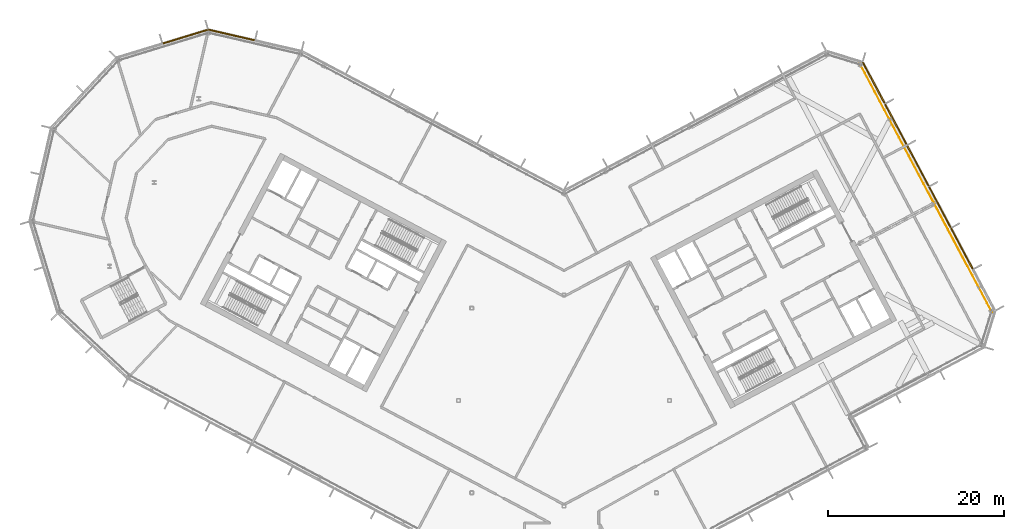
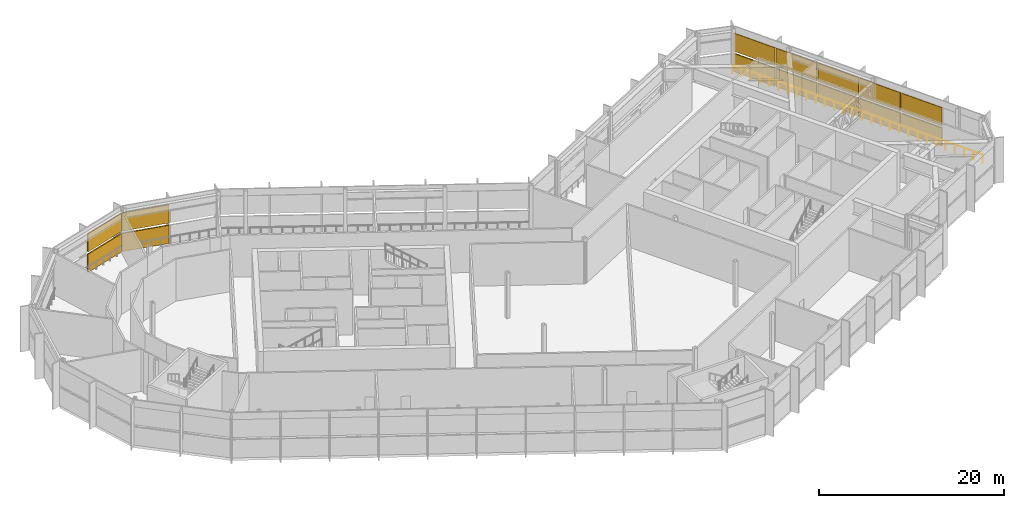
# One storey, part 33 of 33: 14 shading devices, 1 railing, 3 elements without a shape of their own.
"""IFC4 building model written with IfcOpenShell, lengths in metres."""

import ifcopenshell
import ifcopenshell.guid

model = None  # the IFC model being written
_history = None  # IfcOwnerHistory: only IFC2X3 demands one
_inside = {}  # id of a spatial element -> (the spatial element, [elements in it])
_under = {}  # id of a project, library or spatial element -> (it, [spatial elements below it])
_declared = {}  # id of a project -> (the project, [libraries it declares])
_typed = {}  # id of a type object -> (the type object, [elements of that type])
_made_of = {}  # id of a material, layer set ... -> (it, [elements and type objects made of it])


def new_model(schema):
    """Start an empty IFC model of exactly this schema.

    Asked for "IFC4X3", IfcOpenShell would pick the latest addendum, in which some entities
    have other attributes; the version numbers below select the first issue.
    IFC2X3 requires an IfcOwnerHistory on every rooted entity: one is made here for all.
    """
    global model, _history
    if schema == "IFC4X3":
        model = ifcopenshell.file(schema_version=(4, 3, 0, 0))
    else:
        model = ifcopenshell.file(schema=schema)
    _inside.clear()
    _under.clear()
    _declared.clear()
    _typed.clear()
    _made_of.clear()
    _history = None
    if model.schema == "IFC2X3":
        org = make("IfcOrganization", Name="unknown")
        user = make(
            "IfcPersonAndOrganization",
            ThePerson=make("IfcPerson", FamilyName="unknown"),
            TheOrganization=org,
        )
        app = make(
            "IfcApplication",
            ApplicationDeveloper=org,
            Version="unknown",
            ApplicationFullName="unknown",
            ApplicationIdentifier="unknown",
        )
        _history = make(
            "IfcOwnerHistory",
            OwningUser=user,
            OwningApplication=app,
            ChangeAction="ADDED",
            CreationDate=0,
        )
    return model


def make(cls, **values):
    """One entity of the class cls with the attributes given. An attribute that is None is left unset."""
    return model.create_entity(
        cls, **{name: value for name, value in values.items() if value is not None}
    )


def rooted(cls, **values):
    """An entity with a GlobalId (a new one), such as an element, a storey or a relation."""
    return make(cls, GlobalId=ifcopenshell.guid.new(), OwnerHistory=_history, **values)


def si_unit(unit_type, name, prefix=None):
    """IfcSIUnit, for example si_unit("LENGTHUNIT", "METRE", prefix="MILLI")."""
    return make("IfcSIUnit", UnitType=unit_type, Prefix=prefix, Name=name)


def assignment(units):
    """IfcUnitAssignment: the units of a project."""
    return None if units is None else make("IfcUnitAssignment", Units=units)


def point(xyz):
    """IfcCartesianPoint."""
    return None if xyz is None else make("IfcCartesianPoint", Coordinates=xyz)


def direction(xyz):
    """IfcDirection."""
    return None if xyz is None else make("IfcDirection", DirectionRatios=xyz)


def frame(location, z_axis=None, x_axis=None):
    """IfcAxis2Placement3D, a coordinate frame: its origin and axes. An axis left out is left unset."""
    return make(
        "IfcAxis2Placement3D",
        Location=point(location),
        Axis=direction(z_axis),
        RefDirection=direction(x_axis),
    )


def frame_2d(location, x_axis=None):
    """IfcAxis2Placement2D, a coordinate frame in the plane: its origin and x axis."""
    return make(
        "IfcAxis2Placement2D", Location=point(location), RefDirection=direction(x_axis)
    )


def origin():
    """The frame at (0, 0, 0) with its axes left unset."""
    return frame((0.0, 0.0, 0.0))


def origin_2d():
    """The frame at (0, 0) in the plane with its x axis left unset."""
    return frame_2d((0.0, 0.0))


def place(relative_to, where):
    """IfcLocalPlacement: puts the frame where relative to a parent placement (None: the world)."""
    return make(
        "IfcLocalPlacement", PlacementRelTo=relative_to, RelativePlacement=where
    )


def context(
    kind, dimensions, precision=None, world=None, true_north=None, identifier=None
):
    """IfcGeometricRepresentationContext, for example the 3D "Model" context."""
    return make(
        "IfcGeometricRepresentationContext",
        ContextIdentifier=identifier,
        ContextType=kind,
        CoordinateSpaceDimension=dimensions,
        Precision=precision,
        WorldCoordinateSystem=world,
        TrueNorth=true_north,
    )


def subcontext(parent, identifier, kind, view, scale=None):
    """IfcGeometricRepresentationSubContext, for example "Body" below "Model"."""
    return make(
        "IfcGeometricRepresentationSubContext",
        ContextIdentifier=identifier,
        ContextType=kind,
        ParentContext=parent,
        TargetScale=scale,
        TargetView=view,
    )


def project(units=None, contexts=None):
    """IfcProject with its units and contexts."""
    return rooted(
        "IfcProject",
        Name="project",
        RepresentationContexts=contexts,
        UnitsInContext=assignment(units),
    )


def spatial(cls, under=None, at=None, **own):
    """A site, building, storey or space (cls), placed at a placement, below another one or the project."""
    s = rooted(cls, ObjectPlacement=at, **own)
    if under is not None:
        _under.setdefault(under.id(), (under, []))[1].append(s)
    return s


def polyline(points):
    """IfcPolyline through the points."""
    return make("IfcPolyline", Points=[point(p) for p in points])


def profile(cls, at=None, kind="AREA", **sizes):
    """A parametric profile (cls). Its sizes go by their IFC names, for example OverallWidth=200.0."""
    return make(cls, ProfileType=kind, Position=at, **sizes)


def rectangle(**sizes):
    """IfcRectangleProfileDef."""
    return profile("IfcRectangleProfileDef", **sizes)


def outline(outer, holes=None, kind="AREA"):
    """IfcArbitraryClosedProfileDef: a profile drawn as a closed curve; with holes, ...WithVoids."""
    if holes is None:
        return make("IfcArbitraryClosedProfileDef", ProfileType=kind, OuterCurve=outer)
    return make(
        "IfcArbitraryProfileDefWithVoids",
        ProfileType=kind,
        OuterCurve=outer,
        InnerCurves=holes,
    )


def extrude(swept, where, along, depth):
    """IfcExtrudedAreaSolid: the profile swept, set in the frame where, extruded along a direction by depth."""
    return make(
        "IfcExtrudedAreaSolid",
        SweptArea=swept,
        Position=where,
        ExtrudedDirection=direction(along),
        Depth=depth,
    )


def shape(context_of_items, identifier, shape_type, items):
    """IfcShapeRepresentation: the items that make up one representation, for example the "Body"."""
    return make(
        "IfcShapeRepresentation",
        ContextOfItems=context_of_items,
        RepresentationIdentifier=identifier,
        RepresentationType=shape_type,
        Items=items,
    )


def material(Name=None, Category=None):
    """IfcMaterial."""
    return make("IfcMaterial", Name=Name, Category=Category)


def layer(
    of_material, thickness, ventilated=None, Name=None, Category=None, Priority=None
):
    """IfcMaterialLayer: one layer of a wall or slab, of a material (None: an air gap)."""
    return make(
        "IfcMaterialLayer",
        Material=of_material,
        LayerThickness=thickness,
        IsVentilated=ventilated,
        Name=Name,
        Category=Category,
        Priority=Priority,
    )


def layer_set(layers, Name=None):
    """IfcMaterialLayerSet."""
    return make("IfcMaterialLayerSet", MaterialLayers=layers, LayerSetName=Name)


def made_of(thing, what):
    """Note that an element or type object is made of a material, layer set ...; save() writes the relation."""
    if what is not None:
        _made_of.setdefault(what.id(), (what, []))[1].append(thing)
    return thing


def type_object(cls, material=None, **own):
    """A type object (cls), such as IfcWallType, which elements share."""
    return made_of(rooted(cls, **own), material)


def element(
    cls,
    number,
    at=None,
    inside=None,
    cuts=None,
    type_object=None,
    material=None,
    context=None,
    identifier="Body",
    shape_type=None,
    held_by="IfcProductDefinitionShape",
    body=None,
    shapes=None,
    **own,
):
    """One element of the class cls, such as IfcWall. Its Tag is "e" and its number.

    at: its placement. inside: the storey or other place that contains it. cuts: it is an
    opening in that element (IfcRelVoidsElement). A single representation is given by context,
    identifier, shape_type and body (its items); several are given by shapes. held_by: the class
    of the entity that holds the representations. save() writes the other relations.
    """
    e = rooted(cls, Tag="e%d" % number, ObjectPlacement=at, **own)
    if body is not None:
        shapes = [shape(context, identifier, shape_type, body)]
    if shapes is not None:
        e.Representation = make(held_by, Representations=shapes)
    if inside is not None:
        _inside.setdefault(inside.id(), (inside, []))[1].append(e)
    if cuts is not None:
        rooted(
            "IfcRelVoidsElement", RelatingBuildingElement=cuts, RelatedOpeningElement=e
        )
    if type_object is not None:
        _typed.setdefault(type_object.id(), (type_object, []))[1].append(e)
    return made_of(e, material)


def aggregate(whole, parts):
    """IfcRelAggregates: a whole, such as a stair, and the parts it consists of."""
    return rooted("IfcRelAggregates", RelatingObject=whole, RelatedObjects=parts)


def save(model, path):
    """Write the relations noted so far, then the file.

    IfcRelAggregates (storeys below a building ...), IfcRelContainedInSpatialStructure (elements
    in a storey), IfcRelDefinesByType, IfcRelAssociatesMaterial and IfcRelDeclares: one each for
    every whole, place, type object, material and project.
    """
    for whole, parts in _under.values():
        aggregate(whole, parts)
    for where, things in _inside.values():
        rooted(
            "IfcRelContainedInSpatialStructure",
            RelatedElements=things,
            RelatingStructure=where,
        )
    for kind, things in _typed.values():
        rooted("IfcRelDefinesByType", RelatedObjects=things, RelatingType=kind)
    for what, things in _made_of.values():
        rooted("IfcRelAssociatesMaterial", RelatedObjects=things, RelatingMaterial=what)
    for by, libraries in _declared.values():
        rooted("IfcRelDeclares", RelatingContext=by, RelatedDefinitions=libraries)
    model.write(path)


model = new_model("IFC4")

# Units and contexts
model_context = context("Model", 3, precision=1e-05, world=origin(), true_north=direction((0.0, 1.0)))
body_context = subcontext(model_context, "Body", "Model", "MODEL_VIEW")
ifc_project = project(units=[si_unit("LENGTHUNIT", "METRE"), si_unit("AREAUNIT", "SQUARE_METRE"), si_unit("VOLUMEUNIT", "CUBIC_METRE"), si_unit("PLANEANGLEUNIT", "RADIAN"), si_unit("MASSUNIT", "GRAM", prefix="KILO")], contexts=[model_context])

# Site, building, storey
site_placement = place(None, origin())
site = spatial("IfcSite", under=ifc_project, at=site_placement, CompositionType="ELEMENT")
building_placement = place(site_placement, origin())
building = spatial("IfcBuilding", under=site, at=building_placement, Name="Cormorant Relay Tower", CompositionType="ELEMENT")
storey_placement = place(building_placement, frame((0.0, 0.0, 252.0)))
storey = spatial("IfcBuildingStorey", under=building, at=storey_placement, Name="L56", CompositionType="ELEMENT", Elevation=252.0)

# Railing
ifc_material_1 = material(Name="Stainless steel 316 guard", Category="steel")
railing_type = type_object("IfcRailingType", Name="Band louvre guard 1100", PredefinedType="GUARDRAIL", material=ifc_material_1)
railing_placement = place(storey_placement, frame((48.689208984375, 10.032470703125, 0.0)))
element("IfcRailing", 1, at=railing_placement, inside=storey, type_object=railing_type, Name="CW4 guard 6", PredefinedType="GUARDRAIL", context=body_context, shape_type="SweptSolid", body=[
    extrude(outline(polyline([(0.022216796875, 0.00927734375), (0.00927734375, 0.022216796875), (-0.00927734375, 0.022216796875), (-0.022216796875, 0.00927734375), (-0.022216796875, -0.00927734375), (-0.00927734375, -0.022216796875), (0.00927734375, -0.022216796875), (0.022216796875, -0.00927734375), (0.022216796875, 0.00927734375)])), frame((0.0, 0.0, 1.076171875), z_axis=(-0.469473153673, 0.882946746967, 0.0), x_axis=(-0.882946746967, -0.469473153673, 0.0)), (0.0, 0.0, 1.0), 32.0),
    extrude(outline(polyline([(0.019287109375, 0.008056640625), (0.008056640625, 0.019287109375), (-0.008056640625, 0.019287109375), (-0.019287109375, 0.008056640625), (-0.019287109375, -0.008056640625), (-0.008056640625, -0.019287109375), (0.008056640625, -0.019287109375), (0.019287109375, -0.008056640625), (0.019287109375, 0.008056640625)])), origin(), (0.0, 0.0, 1.0), 1.052001953125),
    extrude(outline(polyline([(0.019287109375, 0.008056640625), (0.008056640625, 0.019287109375), (-0.008056640625, 0.019287109375), (-0.019287109375, 0.008056640625), (-0.019287109375, -0.008056640625), (-0.008056640625, -0.019287109375), (0.008056640625, -0.019287109375), (0.019287109375, -0.008056640625), (0.019287109375, 0.008056640625)])), frame((-0.556396484375, 1.04638671875, 0.0)), (0.0, 0.0, 1.0), 1.052001953125),
    extrude(outline(polyline([(0.019287109375, 0.008056640625), (0.008056640625, 0.019287109375), (-0.008056640625, 0.019287109375), (-0.019287109375, 0.008056640625), (-0.019287109375, -0.008056640625), (-0.008056640625, -0.019287109375), (0.008056640625, -0.019287109375), (0.019287109375, -0.008056640625), (0.019287109375, 0.008056640625)])), frame((-1.11279296875, 2.093017578125, 0.0)), (0.0, 0.0, 1.0), 1.052001953125),
    extrude(outline(polyline([(0.019287109375, 0.008056640625), (0.008056640625, 0.019287109375), (-0.008056640625, 0.019287109375), (-0.019287109375, 0.008056640625), (-0.019287109375, -0.008056640625), (-0.008056640625, -0.019287109375), (0.008056640625, -0.019287109375), (0.019287109375, -0.008056640625), (0.019287109375, 0.008056640625)])), frame((-1.669189453125, 3.139404296875, 0.0)), (0.0, 0.0, 1.0), 1.052001953125),
    extrude(outline(polyline([(0.019287109375, 0.008056640625), (0.008056640625, 0.019287109375), (-0.008056640625, 0.019287109375), (-0.019287109375, 0.008056640625), (-0.019287109375, -0.008056640625), (-0.008056640625, -0.019287109375), (0.008056640625, -0.019287109375), (0.019287109375, -0.008056640625), (0.019287109375, 0.008056640625)])), frame((-2.2255859375, 4.185791015625, 0.0)), (0.0, 0.0, 1.0), 1.052001953125),
    extrude(outline(polyline([(0.019287109375, 0.008056640625), (0.008056640625, 0.019287109375), (-0.008056640625, 0.019287109375), (-0.019287109375, 0.008056640625), (-0.019287109375, -0.008056640625), (-0.008056640625, -0.019287109375), (0.008056640625, -0.019287109375), (0.019287109375, -0.008056640625), (0.019287109375, 0.008056640625)])), frame((-2.781982421875, 5.232177734375, 0.0)), (0.0, 0.0, 1.0), 1.052001953125),
    extrude(outline(polyline([(0.019287109375, 0.008056640625), (0.008056640625, 0.019287109375), (-0.008056640625, 0.019287109375), (-0.019287109375, 0.008056640625), (-0.019287109375, -0.008056640625), (-0.008056640625, -0.019287109375), (0.008056640625, -0.019287109375), (0.019287109375, -0.008056640625), (0.019287109375, 0.008056640625)])), frame((-3.33837890625, 6.27880859375, 0.0)), (0.0, 0.0, 1.0), 1.052001953125),
    extrude(outline(polyline([(0.019287109375, 0.008056640625), (0.008056640625, 0.019287109375), (-0.008056640625, 0.019287109375), (-0.019287109375, 0.008056640625), (-0.019287109375, -0.008056640625), (-0.008056640625, -0.019287109375), (0.008056640625, -0.019287109375), (0.019287109375, -0.008056640625), (0.019287109375, 0.008056640625)])), frame((-3.89501953125, 7.3251953125, 0.0)), (0.0, 0.0, 1.0), 1.052001953125),
    extrude(outline(polyline([(0.019287109375, 0.008056640625), (0.008056640625, 0.019287109375), (-0.008056640625, 0.019287109375), (-0.019287109375, 0.008056640625), (-0.019287109375, -0.008056640625), (-0.008056640625, -0.019287109375), (0.008056640625, -0.019287109375), (0.019287109375, -0.008056640625), (0.019287109375, 0.008056640625)])), frame((-4.451416015625, 8.37158203125, 0.0)), (0.0, 0.0, 1.0), 1.052001953125),
    extrude(outline(polyline([(0.019287109375, 0.008056640625), (0.008056640625, 0.019287109375), (-0.008056640625, 0.019287109375), (-0.019287109375, 0.008056640625), (-0.019287109375, -0.008056640625), (-0.008056640625, -0.019287109375), (0.008056640625, -0.019287109375), (0.019287109375, -0.008056640625), (0.019287109375, 0.008056640625)])), frame((-5.0078125, 9.418212890625, 0.0)), (0.0, 0.0, 1.0), 1.052001953125),
    extrude(outline(polyline([(0.019287109375, 0.008056640625), (0.008056640625, 0.019287109375), (-0.008056640625, 0.019287109375), (-0.019287109375, 0.008056640625), (-0.019287109375, -0.008056640625), (-0.008056640625, -0.019287109375), (0.008056640625, -0.019287109375), (0.019287109375, -0.008056640625), (0.019287109375, 0.008056640625)])), frame((-5.564208984375, 10.464599609375, 0.0)), (0.0, 0.0, 1.0), 1.052001953125),
    extrude(outline(polyline([(0.019287109375, 0.008056640625), (0.008056640625, 0.019287109375), (-0.008056640625, 0.019287109375), (-0.019287109375, 0.008056640625), (-0.019287109375, -0.008056640625), (-0.008056640625, -0.019287109375), (0.008056640625, -0.019287109375), (0.019287109375, -0.008056640625), (0.019287109375, 0.008056640625)])), frame((-6.12060546875, 11.510986328125, 0.0)), (0.0, 0.0, 1.0), 1.052001953125),
    extrude(outline(polyline([(0.019287109375, 0.008056640625), (0.008056640625, 0.019287109375), (-0.008056640625, 0.019287109375), (-0.019287109375, 0.008056640625), (-0.019287109375, -0.008056640625), (-0.008056640625, -0.019287109375), (0.008056640625, -0.019287109375), (0.019287109375, -0.008056640625), (0.019287109375, 0.008056640625)])), frame((-6.677001953125, 12.5576171875, 0.0)), (0.0, 0.0, 1.0), 1.052001953125),
    extrude(outline(polyline([(0.019287109375, 0.008056640625), (0.008056640625, 0.019287109375), (-0.008056640625, 0.019287109375), (-0.019287109375, 0.008056640625), (-0.019287109375, -0.008056640625), (-0.008056640625, -0.019287109375), (0.008056640625, -0.019287109375), (0.019287109375, -0.008056640625), (0.019287109375, 0.008056640625)])), frame((-7.2333984375, 13.60400390625, 0.0)), (0.0, 0.0, 1.0), 1.052001953125),
    extrude(outline(polyline([(0.019287109375, 0.008056640625), (0.008056640625, 0.019287109375), (-0.008056640625, 0.019287109375), (-0.019287109375, 0.008056640625), (-0.019287109375, -0.008056640625), (-0.008056640625, -0.019287109375), (0.008056640625, -0.019287109375), (0.019287109375, -0.008056640625), (0.019287109375, 0.008056640625)])), frame((-7.789794921875, 14.650390625, 0.0)), (0.0, 0.0, 1.0), 1.052001953125),
    extrude(outline(polyline([(0.019287109375, 0.008056640625), (0.008056640625, 0.019287109375), (-0.008056640625, 0.019287109375), (-0.019287109375, 0.008056640625), (-0.019287109375, -0.008056640625), (-0.008056640625, -0.019287109375), (0.008056640625, -0.019287109375), (0.019287109375, -0.008056640625), (0.019287109375, 0.008056640625)])), frame((-8.34619140625, 15.69677734375, 0.0)), (0.0, 0.0, 1.0), 1.052001953125),
    extrude(outline(polyline([(0.019287109375, 0.008056640625), (0.008056640625, 0.019287109375), (-0.008056640625, 0.019287109375), (-0.019287109375, 0.008056640625), (-0.019287109375, -0.008056640625), (-0.008056640625, -0.019287109375), (0.008056640625, -0.019287109375), (0.019287109375, -0.008056640625), (0.019287109375, 0.008056640625)])), frame((-8.902587890625, 16.743408203125, 0.0)), (0.0, 0.0, 1.0), 1.052001953125),
    extrude(outline(polyline([(0.019287109375, 0.008056640625), (0.008056640625, 0.019287109375), (-0.008056640625, 0.019287109375), (-0.019287109375, 0.008056640625), (-0.019287109375, -0.008056640625), (-0.008056640625, -0.019287109375), (0.008056640625, -0.019287109375), (0.019287109375, -0.008056640625), (0.019287109375, 0.008056640625)])), frame((-9.458984375, 17.789794921875, 0.0)), (0.0, 0.0, 1.0), 1.052001953125),
    extrude(outline(polyline([(0.019287109375, 0.008056640625), (0.008056640625, 0.019287109375), (-0.008056640625, 0.019287109375), (-0.019287109375, 0.008056640625), (-0.019287109375, -0.008056640625), (-0.008056640625, -0.019287109375), (0.008056640625, -0.019287109375), (0.019287109375, -0.008056640625), (0.019287109375, 0.008056640625)])), frame((-10.015380859375, 18.836181640625, 0.0)), (0.0, 0.0, 1.0), 1.052001953125),
    extrude(outline(polyline([(0.019287109375, 0.008056640625), (0.008056640625, 0.019287109375), (-0.008056640625, 0.019287109375), (-0.019287109375, 0.008056640625), (-0.019287109375, -0.008056640625), (-0.008056640625, -0.019287109375), (0.008056640625, -0.019287109375), (0.019287109375, -0.008056640625), (0.019287109375, 0.008056640625)])), frame((-10.57177734375, 19.8828125, 0.0)), (0.0, 0.0, 1.0), 1.052001953125),
    extrude(outline(polyline([(0.019287109375, 0.008056640625), (0.008056640625, 0.019287109375), (-0.008056640625, 0.019287109375), (-0.019287109375, 0.008056640625), (-0.019287109375, -0.008056640625), (-0.008056640625, -0.019287109375), (0.008056640625, -0.019287109375), (0.019287109375, -0.008056640625), (0.019287109375, 0.008056640625)])), frame((-11.128173828125, 20.92919921875, 0.0)), (0.0, 0.0, 1.0), 1.052001953125),
    extrude(outline(polyline([(0.019287109375, 0.008056640625), (0.008056640625, 0.019287109375), (-0.008056640625, 0.019287109375), (-0.019287109375, 0.008056640625), (-0.019287109375, -0.008056640625), (-0.008056640625, -0.019287109375), (0.008056640625, -0.019287109375), (0.019287109375, -0.008056640625), (0.019287109375, 0.008056640625)])), frame((-11.684814453125, 21.9755859375, 0.0)), (0.0, 0.0, 1.0), 1.052001953125),
    extrude(outline(polyline([(0.019287109375, 0.008056640625), (0.008056640625, 0.019287109375), (-0.008056640625, 0.019287109375), (-0.019287109375, 0.008056640625), (-0.019287109375, -0.008056640625), (-0.008056640625, -0.019287109375), (0.008056640625, -0.019287109375), (0.019287109375, -0.008056640625), (0.019287109375, 0.008056640625)])), frame((-12.2412109375, 23.022216796875, 0.0)), (0.0, 0.0, 1.0), 1.052001953125),
    extrude(outline(polyline([(0.019287109375, 0.008056640625), (0.008056640625, 0.019287109375), (-0.008056640625, 0.019287109375), (-0.019287109375, 0.008056640625), (-0.019287109375, -0.008056640625), (-0.008056640625, -0.019287109375), (0.008056640625, -0.019287109375), (0.019287109375, -0.008056640625), (0.019287109375, 0.008056640625)])), frame((-12.797607421875, 24.068603515625, 0.0)), (0.0, 0.0, 1.0), 1.052001953125),
    extrude(outline(polyline([(0.019287109375, 0.008056640625), (0.008056640625, 0.019287109375), (-0.008056640625, 0.019287109375), (-0.019287109375, 0.008056640625), (-0.019287109375, -0.008056640625), (-0.008056640625, -0.019287109375), (0.008056640625, -0.019287109375), (0.019287109375, -0.008056640625), (0.019287109375, 0.008056640625)])), frame((-13.35400390625, 25.114990234375, 0.0)), (0.0, 0.0, 1.0), 1.052001953125),
    extrude(outline(polyline([(0.019287109375, 0.008056640625), (0.008056640625, 0.019287109375), (-0.008056640625, 0.019287109375), (-0.019287109375, 0.008056640625), (-0.019287109375, -0.008056640625), (-0.008056640625, -0.019287109375), (0.008056640625, -0.019287109375), (0.019287109375, -0.008056640625), (0.019287109375, 0.008056640625)])), frame((-13.910400390625, 26.161376953125, 0.0)), (0.0, 0.0, 1.0), 1.052001953125),
    extrude(outline(polyline([(0.019287109375, 0.008056640625), (0.008056640625, 0.019287109375), (-0.008056640625, 0.019287109375), (-0.019287109375, 0.008056640625), (-0.019287109375, -0.008056640625), (-0.008056640625, -0.019287109375), (0.008056640625, -0.019287109375), (0.019287109375, -0.008056640625), (0.019287109375, 0.008056640625)])), frame((-14.466796875, 27.2080078125, 0.0)), (0.0, 0.0, 1.0), 1.052001953125),
    extrude(outline(polyline([(0.019287109375, 0.008056640625), (0.008056640625, 0.019287109375), (-0.008056640625, 0.019287109375), (-0.019287109375, 0.008056640625), (-0.019287109375, -0.008056640625), (-0.008056640625, -0.019287109375), (0.008056640625, -0.019287109375), (0.019287109375, -0.008056640625), (0.019287109375, 0.008056640625)])), frame((-15.023193359375, 28.25439453125, 0.0)), (0.0, 0.0, 1.0), 1.052001953125),
])

# Curtain wall, shading devices
ifc_material_2 = material(Name="Aluminium 6063-T6 anodised bronze", Category="aluminium")
ifc_layer = layer(ifc_material_2, 0.199951171875)
ifc_layer_set = layer_set([ifc_layer], Name="CW4 band louvre wall")
curtain_wall_type = type_object("IfcCurtainWallType", Name="CW4 band louvre wall", PredefinedType="NOTDEFINED", material=ifc_layer_set)
curtain_wall_1_placement = place(storey_placement, origin())
curtain_wall_1 = element("IfcCurtainWall", 2, at=curtain_wall_1_placement, inside=storey, type_object=curtain_wall_type, Name="CW4 curtain wall 6", PredefinedType="NOTDEFINED")
ifc_material_3 = material(Name="Aluminium 6063-T6 anodised bronze louvre", Category="aluminium")
shading_device_type = type_object("IfcShadingDeviceType", Name="CW4 bronze louvre bank 150 x 2400", PredefinedType="USERDEFINED", material=ifc_material_3)
shading_device_1_placement = place(storey_placement, frame((45.264404296875, 17.272216796875, 2.699951171875), z_axis=(0.0, 0.0, 1.0), x_axis=(-0.469471562786, 0.882947592859, 0.0)))
shading_device_1 = element("IfcShadingDevice", 3, at=shading_device_1_placement, type_object=shading_device_type, Name="CW4 louvre bank U6.2", ObjectType="LOUVRE", PredefinedType="USERDEFINED", context=body_context, shape_type="SweptSolid", body=[
    extrude(rectangle(XDim=5.183349609375, YDim=0.14990234375, at=origin_2d()), origin(), (0.0, 0.0, 1.0), 2.39990234375),
])
shading_device_2_placement = place(storey_placement, frame((45.264404296875, 17.272216796875, 0.0), z_axis=(0.0, 0.0, 1.0), x_axis=(-0.469471562786, 0.882947592859, 0.0)))
shading_device_2 = element("IfcShadingDevice", 4, at=shading_device_2_placement, type_object=shading_device_type, Name="CW4 louvre bank D6.2", ObjectType="LOUVRE", PredefinedType="USERDEFINED", context=body_context, shape_type="SweptSolid", body=[
    extrude(rectangle(XDim=5.183349609375, YDim=0.14990234375, at=origin_2d()), origin(), (0.0, 0.0, 1.0), 2.39990234375),
])
shading_device_3_placement = place(storey_placement, frame((42.7607421875, 21.981201171875, 2.699951171875), z_axis=(0.0, 0.0, 1.0), x_axis=(-0.469471562786, 0.882947592859, 0.0)))
shading_device_3 = element("IfcShadingDevice", 5, at=shading_device_3_placement, type_object=shading_device_type, Name="CW4 louvre bank U6.3", ObjectType="LOUVRE", PredefinedType="USERDEFINED", context=body_context, shape_type="SweptSolid", body=[
    extrude(rectangle(XDim=5.183349609375, YDim=0.14990234375, at=origin_2d()), origin(), (0.0, 0.0, 1.0), 2.39990234375),
])
shading_device_4_placement = place(storey_placement, frame((42.7607421875, 21.981201171875, 0.0), z_axis=(0.0, 0.0, 1.0), x_axis=(-0.469471562786, 0.882947592859, 0.0)))
shading_device_4 = element("IfcShadingDevice", 6, at=shading_device_4_placement, type_object=shading_device_type, Name="CW4 louvre bank D6.3", ObjectType="LOUVRE", PredefinedType="USERDEFINED", context=body_context, shape_type="SweptSolid", body=[
    extrude(rectangle(XDim=5.183349609375, YDim=0.14990234375, at=origin_2d()), origin(), (0.0, 0.0, 1.0), 2.39990234375),
])
shading_device_5_placement = place(storey_placement, frame((40.2568359375, 26.690185546875, 2.699951171875), z_axis=(0.0, 0.0, 1.0), x_axis=(-0.469471562786, 0.882947592859, 0.0)))
shading_device_5 = element("IfcShadingDevice", 7, at=shading_device_5_placement, type_object=shading_device_type, Name="CW4 louvre bank U6.4", ObjectType="LOUVRE", PredefinedType="USERDEFINED", context=body_context, shape_type="SweptSolid", body=[
    extrude(rectangle(XDim=5.183349609375, YDim=0.14990234375, at=origin_2d()), origin(), (0.0, 0.0, 1.0), 2.39990234375),
])
shading_device_6_placement = place(storey_placement, frame((40.2568359375, 26.690185546875, 0.0), z_axis=(0.0, 0.0, 1.0), x_axis=(-0.469471562786, 0.882947592859, 0.0)))
shading_device_6 = element("IfcShadingDevice", 8, at=shading_device_6_placement, type_object=shading_device_type, Name="CW4 louvre bank D6.4", ObjectType="LOUVRE", PredefinedType="USERDEFINED", context=body_context, shape_type="SweptSolid", body=[
    extrude(rectangle(XDim=5.183349609375, YDim=0.14990234375, at=origin_2d()), origin(), (0.0, 0.0, 1.0), 2.39990234375),
])
shading_device_7_placement = place(storey_placement, frame((37.7529296875, 31.3994140625, 2.699951171875), z_axis=(0.0, 0.0, 1.0), x_axis=(-0.469471562786, 0.882947592859, 0.0)))
shading_device_7 = element("IfcShadingDevice", 9, at=shading_device_7_placement, type_object=shading_device_type, Name="CW4 louvre bank U6.5", ObjectType="LOUVRE", PredefinedType="USERDEFINED", context=body_context, shape_type="SweptSolid", body=[
    extrude(rectangle(XDim=5.183349609375, YDim=0.14990234375, at=origin_2d()), origin(), (0.0, 0.0, 1.0), 2.39990234375),
])
shading_device_8_placement = place(storey_placement, frame((37.7529296875, 31.3994140625, 0.0), z_axis=(0.0, 0.0, 1.0), x_axis=(-0.469471562786, 0.882947592859, 0.0)))
shading_device_8 = element("IfcShadingDevice", 10, at=shading_device_8_placement, type_object=shading_device_type, Name="CW4 louvre bank D6.5", ObjectType="LOUVRE", PredefinedType="USERDEFINED", context=body_context, shape_type="SweptSolid", body=[
    extrude(rectangle(XDim=5.183349609375, YDim=0.14990234375, at=origin_2d()), origin(), (0.0, 0.0, 1.0), 2.39990234375),
])
shading_device_9_placement = place(storey_placement, frame((35.2314453125, 36.1416015625, 2.699951171875), z_axis=(0.0, 0.0, 1.0), x_axis=(-0.469471562786, 0.882947592859, 0.0)))
shading_device_9 = element("IfcShadingDevice", 11, at=shading_device_9_placement, type_object=shading_device_type, Name="CW4 louvre bank U6.6", ObjectType="LOUVRE", PredefinedType="USERDEFINED", context=body_context, shape_type="SweptSolid", body=[
    extrude(rectangle(XDim=5.25830078125, YDim=0.14990234375, at=origin_2d()), origin(), (0.0, 0.0, 1.0), 2.39990234375),
])
shading_device_10_placement = place(storey_placement, frame((35.2314453125, 36.1416015625, 0.0), z_axis=(0.0, 0.0, 1.0), x_axis=(-0.469471562786, 0.882947592859, 0.0)))
shading_device_10 = element("IfcShadingDevice", 12, at=shading_device_10_placement, type_object=shading_device_type, Name="CW4 louvre bank D6.6", ObjectType="LOUVRE", PredefinedType="USERDEFINED", context=body_context, shape_type="SweptSolid", body=[
    extrude(rectangle(XDim=5.25830078125, YDim=0.14990234375, at=origin_2d()), origin(), (0.0, 0.0, 1.0), 2.39990234375),
])
aggregate(curtain_wall_1, [shading_device_1, shading_device_2, shading_device_3, shading_device_4, shading_device_5, shading_device_6, shading_device_7, shading_device_8, shading_device_9, shading_device_10])

curtain_wall_2_placement = place(storey_placement, origin())
curtain_wall_2 = element("IfcCurtainWall", 13, at=curtain_wall_2_placement, inside=storey, type_object=curtain_wall_type, Name="CW4 curtain wall 10", PredefinedType="NOTDEFINED")
shading_device_11_placement = place(storey_placement, frame((-37.83740234375, 41.58349609375, 2.699951171875), z_axis=(0.0, 0.0, 1.0), x_axis=(-0.974370064785, 0.224951054344, 0.0)))
shading_device_11 = element("IfcShadingDevice", 14, at=shading_device_11_placement, type_object=shading_device_type, Name="CW4 louvre bank U10.2", ObjectType="LOUVRE", PredefinedType="USERDEFINED", context=body_context, shape_type="SweptSolid", body=[
    extrude(rectangle(XDim=5.360107421875, YDim=0.14990234375, at=origin_2d()), origin(), (0.0, 0.0, 1.0), 2.39990234375),
])
shading_device_12_placement = place(storey_placement, frame((-37.83740234375, 41.58349609375, 0.0), z_axis=(0.0, 0.0, 1.0), x_axis=(-0.974370064785, 0.224951054344, 0.0)))
shading_device_12 = element("IfcShadingDevice", 15, at=shading_device_12_placement, type_object=shading_device_type, Name="CW4 louvre bank D10.2", ObjectType="LOUVRE", PredefinedType="USERDEFINED", context=body_context, shape_type="SweptSolid", body=[
    extrude(rectangle(XDim=5.360107421875, YDim=0.14990234375, at=origin_2d()), origin(), (0.0, 0.0, 1.0), 2.39990234375),
])
aggregate(curtain_wall_2, [shading_device_11, shading_device_12])

curtain_wall_3_placement = place(storey_placement, origin())
curtain_wall_3 = element("IfcCurtainWall", 16, at=curtain_wall_3_placement, inside=storey, type_object=curtain_wall_type, Name="CW4 curtain wall 11", PredefinedType="NOTDEFINED")
shading_device_13_placement = place(storey_placement, frame((-43.086181640625, 41.390625, 2.699951171875), z_axis=(0.0, 0.0, 1.0), x_axis=(-0.956304755963, -0.292371704723, 0.0)))
shading_device_13 = element("IfcShadingDevice", 17, at=shading_device_13_placement, type_object=shading_device_type, Name="CW4 louvre bank U11.1", ObjectType="LOUVRE", PredefinedType="USERDEFINED", context=body_context, shape_type="SweptSolid", body=[
    extrude(rectangle(XDim=5.28515625, YDim=0.14990234375, at=origin_2d()), origin(), (0.0, 0.0, 1.0), 2.39990234375),
])
shading_device_14_placement = place(storey_placement, frame((-43.086181640625, 41.390625, 0.0), z_axis=(0.0, 0.0, 1.0), x_axis=(-0.956304755963, -0.292371704723, 0.0)))
shading_device_14 = element("IfcShadingDevice", 18, at=shading_device_14_placement, type_object=shading_device_type, Name="CW4 louvre bank D11.1", ObjectType="LOUVRE", PredefinedType="USERDEFINED", context=body_context, shape_type="SweptSolid", body=[
    extrude(rectangle(XDim=5.28515625, YDim=0.14990234375, at=origin_2d()), origin(), (0.0, 0.0, 1.0), 2.39990234375),
])
aggregate(curtain_wall_3, [shading_device_13, shading_device_14])

save(model, "model.ifc")
